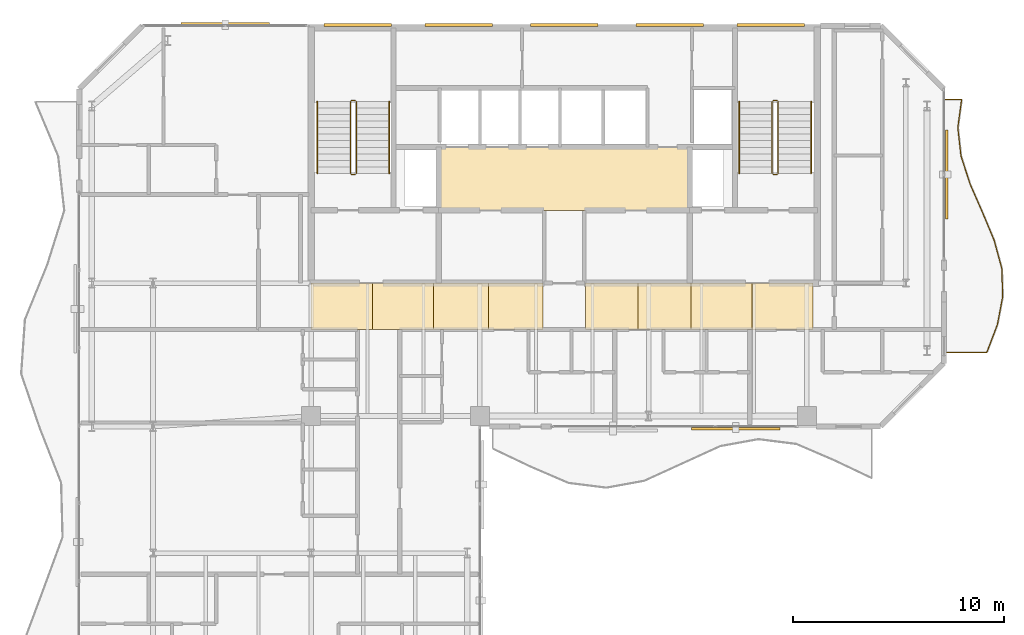
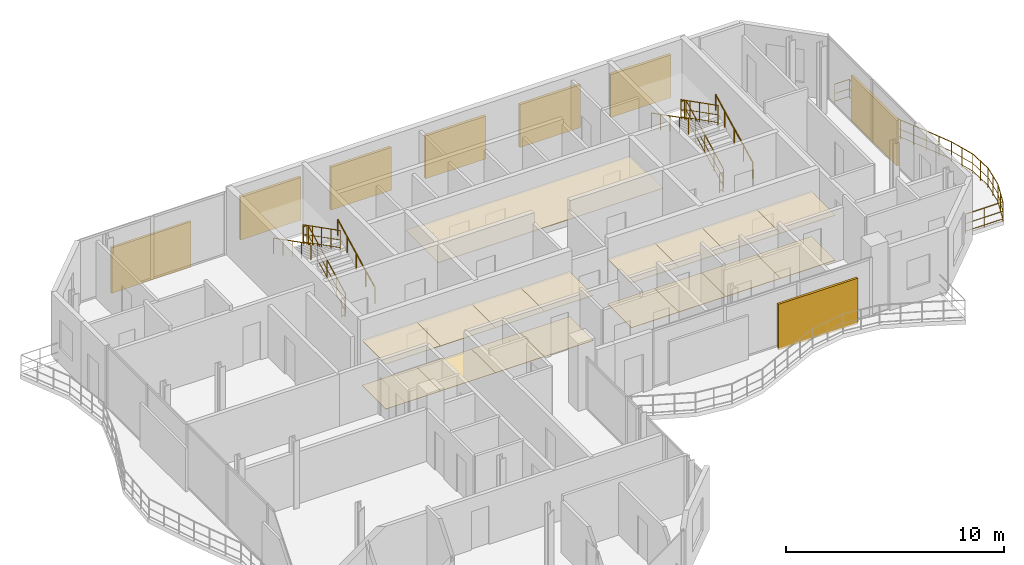
# One storey, part 22 of 22: 17 coverings, 13 railings, 8 shading devices.
"""IFC4 building model written with IfcOpenShell, lengths in metres."""

from ifc_helpers import new_model, si_unit, direction, frame, origin, origin_2d, place, context, subcontext, project, spatial, polyline, rectangle, circle, outline, extrude, material, layer, layer_set, type_object, element, save


model = new_model("IFC4")

# Units and contexts
model_context = context("Model", 3, precision=1e-05, world=origin(), true_north=direction((0.0, 1.0)))
body_context = subcontext(model_context, "Body", "Model", "MODEL_VIEW")
ifc_project = project(units=[si_unit("LENGTHUNIT", "METRE"), si_unit("AREAUNIT", "SQUARE_METRE"), si_unit("VOLUMEUNIT", "CUBIC_METRE"), si_unit("PLANEANGLEUNIT", "RADIAN"), si_unit("MASSUNIT", "GRAM", prefix="KILO")], contexts=[model_context])

# Site, building, storey
site_placement = place(None, origin())
site = spatial("IfcSite", under=ifc_project, at=site_placement, CompositionType="ELEMENT")
building_placement = place(site_placement, origin())
building = spatial("IfcBuilding", under=site, at=building_placement, Name="Catumbela Crestline Tower", CompositionType="ELEMENT")
storey_placement = place(building_placement, frame((0.0, 0.0, 233.6)))
storey = spatial("IfcBuildingStorey", under=building, at=storey_placement, Name="L60", CompositionType="ELEMENT", Elevation=233.6)

# Coverings
ifc_material_1 = material(Name="Mineral-fibre acoustic ceiling")
ifc_layer_1 = layer(ifc_material_1, 0.03, Name="Mineral-fibre acoustic ceiling")
ifc_layer_set_1 = layer_set([ifc_layer_1], Name="Mineral-fibre acoustic ceiling")
covering_type_1 = type_object("IfcCoveringType", Name="CC-AC", PredefinedType="CEILING", material=ifc_layer_set_1)
covering_1_placement = place(storey_placement, frame((0.0, 0.0, 2.65)))
element("IfcCovering", 1, at=covering_1_placement, inside=storey, type_object=covering_type_1, Name="L60 Lift Lobby Acoustic Ceiling", PredefinedType="CEILING", context=body_context, shape_type="SweptSolid", body=[
    extrude(outline(polyline([(22.05, 34.25), (33.95, 34.25), (33.95, 37.25), (22.05, 37.25), (22.05, 34.25)])), origin(), (0.0, 0.0, 1.0), 0.03),
])
covering_2_placement = place(storey_placement, frame((0.0, 0.0, 2.52)))
element("IfcCovering", 2, at=covering_2_placement, inside=storey, type_object=covering_type_1, Name="L60 Corridor Acoustic Ceiling Bay 1", PredefinedType="CEILING", context=body_context, shape_type="SweptSolid", body=[
    extrude(outline(polyline([(16.0, 28.6), (18.9, 28.6), (18.9, 30.8), (16.0, 30.8), (16.0, 28.6)])), origin(), (0.0, 0.0, 1.0), 0.03),
])
covering_3_placement = place(storey_placement, frame((0.0, 0.0, 2.52)))
element("IfcCovering", 3, at=covering_3_placement, inside=storey, type_object=covering_type_1, Name="L60 Corridor Acoustic Ceiling Bay 2", PredefinedType="CEILING", context=body_context, shape_type="SweptSolid", body=[
    extrude(outline(polyline([(18.9, 28.6), (21.8, 28.6), (21.8, 30.8), (18.9, 30.8), (18.9, 28.6)])), origin(), (0.0, 0.0, 1.0), 0.03),
])
covering_4_placement = place(storey_placement, frame((0.0, 0.0, 2.52)))
element("IfcCovering", 4, at=covering_4_placement, inside=storey, type_object=covering_type_1, Name="L60 Corridor Acoustic Ceiling Bay 3", PredefinedType="CEILING", context=body_context, shape_type="SweptSolid", body=[
    extrude(outline(polyline([(21.8, 28.6), (24.4, 28.6), (24.4, 30.8), (21.8, 30.8), (21.8, 28.6)])), origin(), (0.0, 0.0, 1.0), 0.03),
])
covering_5_placement = place(storey_placement, frame((0.0, 0.0, 2.52)))
element("IfcCovering", 5, at=covering_5_placement, inside=storey, type_object=covering_type_1, Name="L60 Corridor Acoustic Ceiling Bay 4", PredefinedType="CEILING", context=body_context, shape_type="SweptSolid", body=[
    extrude(outline(polyline([(24.4, 28.6), (27.0, 28.6), (27.0, 30.8), (24.4, 30.8), (24.4, 28.6)])), origin(), (0.0, 0.0, 1.0), 0.03),
])
covering_6_placement = place(storey_placement, frame((0.0, 0.0, 2.52)))
element("IfcCovering", 6, at=covering_6_placement, inside=storey, type_object=covering_type_1, Name="L60 Corridor Acoustic Ceiling Bay 5", PredefinedType="CEILING", context=body_context, shape_type="SweptSolid", body=[
    extrude(outline(polyline([(29.0, 28.6), (31.5, 28.6), (31.5, 30.8), (29.0, 30.8), (29.0, 28.6)])), origin(), (0.0, 0.0, 1.0), 0.03),
])
covering_7_placement = place(storey_placement, frame((0.0, 0.0, 2.52)))
element("IfcCovering", 7, at=covering_7_placement, inside=storey, type_object=covering_type_1, Name="L60 Corridor Acoustic Ceiling Bay 6", PredefinedType="CEILING", context=body_context, shape_type="SweptSolid", body=[
    extrude(outline(polyline([(31.5, 28.6), (34.0, 28.6), (34.0, 30.8), (31.5, 30.8), (31.5, 28.6)])), origin(), (0.0, 0.0, 1.0), 0.03),
])
covering_8_placement = place(storey_placement, frame((0.0, 0.0, 2.52)))
element("IfcCovering", 8, at=covering_8_placement, inside=storey, type_object=covering_type_1, Name="L60 Corridor Acoustic Ceiling Bay 7", PredefinedType="CEILING", context=body_context, shape_type="SweptSolid", body=[
    extrude(outline(polyline([(34.0, 28.6), (36.9, 28.6), (36.9, 30.8), (34.0, 30.8), (34.0, 28.6)])), origin(), (0.0, 0.0, 1.0), 0.03),
])
covering_9_placement = place(storey_placement, frame((0.0, 0.0, 2.52)))
element("IfcCovering", 9, at=covering_9_placement, inside=storey, type_object=covering_type_1, Name="L60 Corridor Acoustic Ceiling Bay 8", PredefinedType="CEILING", context=body_context, shape_type="SweptSolid", body=[
    extrude(outline(polyline([(36.9, 28.6), (39.8, 28.6), (39.8, 30.8), (36.9, 30.8), (36.9, 28.6)])), origin(), (0.0, 0.0, 1.0), 0.03),
])
ifc_material_2 = material(Name="Angolan grey-ochre granite", Category="masonry")
ifc_layer_2 = layer(ifc_material_2, 0.025, Name="Angolan grey-ochre granite")
ifc_layer_set_2 = layer_set([ifc_layer_2], Name="Angolan grey-ochre granite")
covering_type_2 = type_object("IfcCoveringType", Name="CF-GR", PredefinedType="FLOORING", material=ifc_layer_set_2)
covering_10_placement = place(storey_placement, origin())
element("IfcCovering", 10, at=covering_10_placement, inside=storey, type_object=covering_type_2, Name="L60 Corridor Granite Flooring Bay 1", PredefinedType="FLOORING", context=body_context, shape_type="SweptSolid", body=[
    extrude(outline(polyline([(16.0, 28.6), (18.9, 28.6), (18.9, 30.8), (16.0, 30.8), (16.0, 28.6)])), origin(), (0.0, 0.0, 1.0), 0.025),
])
covering_11_placement = place(storey_placement, origin())
element("IfcCovering", 11, at=covering_11_placement, inside=storey, type_object=covering_type_2, Name="L60 Corridor Granite Flooring Bay 2", PredefinedType="FLOORING", context=body_context, shape_type="SweptSolid", body=[
    extrude(outline(polyline([(18.9, 28.6), (21.8, 28.6), (21.8, 30.8), (18.9, 30.8), (18.9, 28.6)])), origin(), (0.0, 0.0, 1.0), 0.025),
])
covering_12_placement = place(storey_placement, origin())
element("IfcCovering", 12, at=covering_12_placement, inside=storey, type_object=covering_type_2, Name="L60 Corridor Granite Flooring Bay 3", PredefinedType="FLOORING", context=body_context, shape_type="SweptSolid", body=[
    extrude(outline(polyline([(21.8, 28.6), (24.4, 28.6), (24.4, 30.8), (21.8, 30.8), (21.8, 28.6)])), origin(), (0.0, 0.0, 1.0), 0.025),
])
covering_13_placement = place(storey_placement, origin())
element("IfcCovering", 13, at=covering_13_placement, inside=storey, type_object=covering_type_2, Name="L60 Corridor Granite Flooring Bay 4", PredefinedType="FLOORING", context=body_context, shape_type="SweptSolid", body=[
    extrude(outline(polyline([(24.4, 28.6), (27.0, 28.6), (27.0, 30.8), (24.4, 30.8), (24.4, 28.6)])), origin(), (0.0, 0.0, 1.0), 0.025),
])
covering_14_placement = place(storey_placement, origin())
element("IfcCovering", 14, at=covering_14_placement, inside=storey, type_object=covering_type_2, Name="L60 Corridor Granite Flooring Bay 5", PredefinedType="FLOORING", context=body_context, shape_type="SweptSolid", body=[
    extrude(outline(polyline([(29.0, 28.6), (31.5, 28.6), (31.5, 30.8), (29.0, 30.8), (29.0, 28.6)])), origin(), (0.0, 0.0, 1.0), 0.025),
])
covering_15_placement = place(storey_placement, origin())
element("IfcCovering", 15, at=covering_15_placement, inside=storey, type_object=covering_type_2, Name="L60 Corridor Granite Flooring Bay 6", PredefinedType="FLOORING", context=body_context, shape_type="SweptSolid", body=[
    extrude(outline(polyline([(31.5, 28.6), (34.0, 28.6), (34.0, 30.8), (31.5, 30.8), (31.5, 28.6)])), origin(), (0.0, 0.0, 1.0), 0.025),
])
covering_16_placement = place(storey_placement, origin())
element("IfcCovering", 16, at=covering_16_placement, inside=storey, type_object=covering_type_2, Name="L60 Corridor Granite Flooring Bay 7", PredefinedType="FLOORING", context=body_context, shape_type="SweptSolid", body=[
    extrude(outline(polyline([(34.0, 28.6), (36.9, 28.6), (36.9, 30.8), (34.0, 30.8), (34.0, 28.6)])), origin(), (0.0, 0.0, 1.0), 0.025),
])
covering_17_placement = place(storey_placement, origin())
element("IfcCovering", 17, at=covering_17_placement, inside=storey, type_object=covering_type_2, Name="L60 Corridor Granite Flooring Bay 8", PredefinedType="FLOORING", context=body_context, shape_type="SweptSolid", body=[
    extrude(outline(polyline([(36.9, 28.6), (39.8, 28.6), (39.8, 30.8), (36.9, 30.8), (36.9, 28.6)])), origin(), (0.0, 0.0, 1.0), 0.025),
])

# Railings
ifc_material_3 = material(Name="Stainless steel EN 1.4401", Category="steel")
railing_type_1 = type_object("IfcRailingType", Name="RB-1100", PredefinedType="BALUSTRADE", material=ifc_material_3)
railing_1_placement = place(storey_placement, frame((46.06, 27.5, 0.0)))
element("IfcRailing", 18, at=railing_1_placement, inside=storey, type_object=railing_type_1, Name="L60 Private Wave Balcony Balustrade 2", PredefinedType="BALUSTRADE", context=body_context, shape_type="SweptSolid", body=[
    extrude(circle(Radius=0.024, at=origin_2d()), frame((0.0, 0.0, 1.076), z_axis=(1.0, 0.0, 0.0), x_axis=(0.0, 1.0, 0.0)), (0.0, 0.0, 1.0), 1.9698),
    extrude(circle(Radius=0.0156, at=origin_2d()), frame((0.0, 0.0, 0.55), z_axis=(1.0, 0.0, 0.0), x_axis=(0.0, 1.0, 0.0)), (0.0, 0.0, 1.0), 1.9698),
    extrude(circle(Radius=0.0156, at=origin_2d()), frame((0.0, 0.0, 0.12), z_axis=(1.0, 0.0, 0.0), x_axis=(0.0, 1.0, 0.0)), (0.0, 0.0, 1.0), 1.9698),
    extrude(circle(Radius=0.024, at=origin_2d()), frame((1.9698, 0.0, 1.076), z_axis=(0.355613430539, 0.934633130175, 0.0), x_axis=(-0.934633130175, 0.355613430539, 0.0)), (0.0, 0.0, 1.0), 1.4265),
    extrude(circle(Radius=0.0156, at=origin_2d()), frame((1.9698, 0.0, 0.55), z_axis=(0.355613430539, 0.934633130175, 0.0), x_axis=(-0.934633130175, 0.355613430539, 0.0)), (0.0, 0.0, 1.0), 1.4265),
    extrude(circle(Radius=0.0156, at=origin_2d()), frame((1.9698, 0.0, 0.12), z_axis=(0.355613430539, 0.934633130175, 0.0), x_axis=(-0.934633130175, 0.355613430539, 0.0)), (0.0, 0.0, 1.0), 1.4265),
    extrude(circle(Radius=0.024, at=origin_2d()), frame((2.4771, 1.3333, 1.076), z_axis=(0.186343461413, 0.982484663691, 0.0), x_axis=(-0.982484663691, 0.186343461413, 0.0)), (0.0, 0.0, 1.0), 1.3572),
    extrude(circle(Radius=0.0156, at=origin_2d()), frame((2.4771, 1.3333, 0.55), z_axis=(0.186343461413, 0.982484663691, 0.0), x_axis=(-0.982484663691, 0.186343461413, 0.0)), (0.0, 0.0, 1.0), 1.3572),
    extrude(circle(Radius=0.0156, at=origin_2d()), frame((2.4771, 1.3333, 0.12), z_axis=(0.186343461413, 0.982484663691, 0.0), x_axis=(-0.982484663691, 0.186343461413, 0.0)), (0.0, 0.0, 1.0), 1.3572),
    extrude(circle(Radius=0.024, at=origin_2d()), frame((2.73, 2.6667, 1.076), z_axis=(-0.034180870208, 0.999415663331, 0.0), x_axis=(-0.999415663331, -0.034180870208, 0.0)), (0.0, 0.0, 1.0), 1.3341),
    extrude(circle(Radius=0.0156, at=origin_2d()), frame((2.73, 2.6667, 0.55), z_axis=(-0.034180870208, 0.999415663331, 0.0), x_axis=(-0.999415663331, -0.034180870208, 0.0)), (0.0, 0.0, 1.0), 1.3341),
    extrude(circle(Radius=0.0156, at=origin_2d()), frame((2.73, 2.6667, 0.12), z_axis=(-0.034180870208, 0.999415663331, 0.0), x_axis=(-0.999415663331, -0.034180870208, 0.0)), (0.0, 0.0, 1.0), 1.3341),
    extrude(circle(Radius=0.024, at=origin_2d()), frame((2.6844, 4.0, 1.076), z_axis=(-0.262694864344, 0.964878960413, 0.0), x_axis=(-0.964878960413, -0.262694864344, 0.0)), (0.0, 0.0, 1.0), 1.3818),
    extrude(circle(Radius=0.0156, at=origin_2d()), frame((2.6844, 4.0, 0.55), z_axis=(-0.262694864344, 0.964878960413, 0.0), x_axis=(-0.964878960413, -0.262694864344, 0.0)), (0.0, 0.0, 1.0), 1.3818),
    extrude(circle(Radius=0.0156, at=origin_2d()), frame((2.6844, 4.0, 0.12), z_axis=(-0.262694864344, 0.964878960413, 0.0), x_axis=(-0.964878960413, -0.262694864344, 0.0)), (0.0, 0.0, 1.0), 1.3818),
    extrude(circle(Radius=0.024, at=origin_2d()), frame((2.3214, 5.3333, 1.076), z_axis=(-0.385980642266, 0.922506880081, 0.0), x_axis=(-0.922506880081, -0.385980642266, 0.0)), (0.0, 0.0, 1.0), 1.4454),
    extrude(circle(Radius=0.0156, at=origin_2d()), frame((2.3214, 5.3333, 0.55), z_axis=(-0.385980642266, 0.922506880081, 0.0), x_axis=(-0.922506880081, -0.385980642266, 0.0)), (0.0, 0.0, 1.0), 1.4454),
    extrude(circle(Radius=0.0156, at=origin_2d()), frame((2.3214, 5.3333, 0.12), z_axis=(-0.385980642266, 0.922506880081, 0.0), x_axis=(-0.922506880081, -0.385980642266, 0.0)), (0.0, 0.0, 1.0), 1.4454),
    extrude(circle(Radius=0.024, at=origin_2d()), frame((1.7635, 6.6667, 1.076), z_axis=(-0.400808020005, 0.916162065957, 0.0), x_axis=(-0.916162065957, -0.400808020005, 0.0)), (0.0, 0.0, 1.0), 1.4553),
    extrude(circle(Radius=0.0156, at=origin_2d()), frame((1.7635, 6.6667, 0.55), z_axis=(-0.400808020005, 0.916162065957, 0.0), x_axis=(-0.916162065957, -0.400808020005, 0.0)), (0.0, 0.0, 1.0), 1.4553),
    extrude(circle(Radius=0.0156, at=origin_2d()), frame((1.7635, 6.6667, 0.12), z_axis=(-0.400808020005, 0.916162065957, 0.0), x_axis=(-0.916162065957, -0.400808020005, 0.0)), (0.0, 0.0, 1.0), 1.4553),
    extrude(circle(Radius=0.024, at=origin_2d()), frame((1.1802, 8.0, 1.076), z_axis=(-0.307844984535, 0.951436527308, 0.0), x_axis=(-0.951436527308, -0.307844984535, 0.0)), (0.0, 0.0, 1.0), 1.4014),
    extrude(circle(Radius=0.0156, at=origin_2d()), frame((1.1802, 8.0, 0.55), z_axis=(-0.307844984535, 0.951436527308, 0.0), x_axis=(-0.951436527308, -0.307844984535, 0.0)), (0.0, 0.0, 1.0), 1.4014),
    extrude(circle(Radius=0.0156, at=origin_2d()), frame((1.1802, 8.0, 0.12), z_axis=(-0.307844984535, 0.951436527308, 0.0), x_axis=(-0.951436527308, -0.307844984535, 0.0)), (0.0, 0.0, 1.0), 1.4014),
    extrude(circle(Radius=0.024, at=origin_2d()), frame((0.7488, 9.3333, 1.076), z_axis=(-0.110611501561, 0.993863720901, 0.0), x_axis=(-0.993863720901, -0.110611501561, 0.0)), (0.0, 0.0, 1.0), 1.3416),
    extrude(circle(Radius=0.0156, at=origin_2d()), frame((0.7488, 9.3333, 0.55), z_axis=(-0.110611501561, 0.993863720901, 0.0), x_axis=(-0.993863720901, -0.110611501561, 0.0)), (0.0, 0.0, 1.0), 1.3416),
    extrude(circle(Radius=0.0156, at=origin_2d()), frame((0.7488, 9.3333, 0.12), z_axis=(-0.110611501561, 0.993863720901, 0.0), x_axis=(-0.993863720901, -0.110611501561, 0.0)), (0.0, 0.0, 1.0), 1.3416),
    extrude(circle(Radius=0.024, at=origin_2d()), frame((0.6004, 10.6667, 1.076), z_axis=(0.133570659882, 0.991039292268, 0.0), x_axis=(-0.991039292268, 0.133570659882, 0.0)), (0.0, 0.0, 1.0), 1.3454),
    extrude(circle(Radius=0.0156, at=origin_2d()), frame((0.6004, 10.6667, 0.55), z_axis=(0.133570659882, 0.991039292268, 0.0), x_axis=(-0.991039292268, 0.133570659882, 0.0)), (0.0, 0.0, 1.0), 1.3454),
    extrude(circle(Radius=0.0156, at=origin_2d()), frame((0.6004, 10.6667, 0.12), z_axis=(0.133570659882, 0.991039292268, 0.0), x_axis=(-0.991039292268, 0.133570659882, 0.0)), (0.0, 0.0, 1.0), 1.3454),
    extrude(circle(Radius=0.024, at=origin_2d()), frame((0.7801, 12.0, 1.076), z_axis=(-1.0, 0.0, 0.0), x_axis=(0.0, -1.0, 0.0)), (0.0, 0.0, 1.0), 0.7801),
    extrude(circle(Radius=0.0156, at=origin_2d()), frame((0.7801, 12.0, 0.55), z_axis=(-1.0, 0.0, 0.0), x_axis=(0.0, -1.0, 0.0)), (0.0, 0.0, 1.0), 0.7801),
    extrude(circle(Radius=0.0156, at=origin_2d()), frame((0.7801, 12.0, 0.12), z_axis=(-1.0, 0.0, 0.0), x_axis=(0.0, -1.0, 0.0)), (0.0, 0.0, 1.0), 0.7801),
    extrude(circle(Radius=0.021, at=origin_2d()), origin(), (0.0, 0.0, 1.0), 1.052),
    extrude(circle(Radius=0.021, at=origin_2d()), frame((0.9849, 0.0, 0.0)), (0.0, 0.0, 1.0), 1.052),
    extrude(circle(Radius=0.021, at=origin_2d()), frame((1.9698, 0.0, 0.0)), (0.0, 0.0, 1.0), 1.052),
    extrude(circle(Radius=0.021, at=origin_2d()), frame((2.2234, 0.6667, 0.0)), (0.0, 0.0, 1.0), 1.052),
    extrude(circle(Radius=0.021, at=origin_2d()), frame((2.4771, 1.3333, 0.0)), (0.0, 0.0, 1.0), 1.052),
    extrude(circle(Radius=0.021, at=origin_2d()), frame((2.6035, 2.0, 0.0)), (0.0, 0.0, 1.0), 1.052),
    extrude(circle(Radius=0.021, at=origin_2d()), frame((2.73, 2.6667, 0.0)), (0.0, 0.0, 1.0), 1.052),
    extrude(circle(Radius=0.021, at=origin_2d()), frame((2.7072, 3.3333, 0.0)), (0.0, 0.0, 1.0), 1.052),
    extrude(circle(Radius=0.021, at=origin_2d()), frame((2.6844, 4.0, 0.0)), (0.0, 0.0, 1.0), 1.052),
    extrude(circle(Radius=0.021, at=origin_2d()), frame((2.5029, 4.6667, 0.0)), (0.0, 0.0, 1.0), 1.052),
    extrude(circle(Radius=0.021, at=origin_2d()), frame((2.3214, 5.3333, 0.0)), (0.0, 0.0, 1.0), 1.052),
    extrude(circle(Radius=0.021, at=origin_2d()), frame((2.0424, 6.0, 0.0)), (0.0, 0.0, 1.0), 1.052),
    extrude(circle(Radius=0.021, at=origin_2d()), frame((1.7635, 6.6667, 0.0)), (0.0, 0.0, 1.0), 1.052),
    extrude(circle(Radius=0.021, at=origin_2d()), frame((1.4718, 7.3334, 0.0)), (0.0, 0.0, 1.0), 1.052),
    extrude(circle(Radius=0.021, at=origin_2d()), frame((1.1802, 8.0, 0.0)), (0.0, 0.0, 1.0), 1.052),
    extrude(circle(Radius=0.021, at=origin_2d()), frame((0.9645, 8.6666, 0.0)), (0.0, 0.0, 1.0), 1.052),
    extrude(circle(Radius=0.021, at=origin_2d()), frame((0.7488, 9.3333, 0.0)), (0.0, 0.0, 1.0), 1.052),
    extrude(circle(Radius=0.021, at=origin_2d()), frame((0.6746, 10.0, 0.0)), (0.0, 0.0, 1.0), 1.052),
    extrude(circle(Radius=0.021, at=origin_2d()), frame((0.6004, 10.6667, 0.0)), (0.0, 0.0, 1.0), 1.052),
    extrude(circle(Radius=0.021, at=origin_2d()), frame((0.6902, 11.3334, 0.0)), (0.0, 0.0, 1.0), 1.052),
    extrude(circle(Radius=0.021, at=origin_2d()), frame((0.7801, 12.0, 0.0)), (0.0, 0.0, 1.0), 1.052),
    extrude(circle(Radius=0.021, at=origin_2d()), frame((0.0, 12.0, 0.0)), (0.0, 0.0, 1.0), 1.052),
])
railing_type_2 = type_object("IfcRailingType", Name="RG-1100", PredefinedType="GUARDRAIL", material=ifc_material_3)
railing_2_placement = place(storey_placement, frame((18.14, 36.0, 0.1583)))
element("IfcRailing", 19, at=railing_2_placement, inside=storey, type_object=railing_type_2, Name="L60 ST-01 stair guard 1", PredefinedType="GUARDRAIL", context=body_context, shape_type="SweptSolid", body=[
    extrude(circle(Radius=0.024, at=origin_2d()), frame((0.0, 0.0, 1.076), z_axis=(0.0, 0.890560473983, 0.454864861447), x_axis=(-1.0, 0.0, 0.0)), (0.0, 0.0, 1.0), 3.829),
    extrude(circle(Radius=0.0156, at=origin_2d()), frame((0.0, 0.0, 0.55), z_axis=(0.0, 0.890560473983, 0.454864861447), x_axis=(-1.0, 0.0, 0.0)), (0.0, 0.0, 1.0), 3.829),
    extrude(circle(Radius=0.0156, at=origin_2d()), frame((0.0, 0.0, 0.12), z_axis=(0.0, 0.890560473983, 0.454864861447), x_axis=(-1.0, 0.0, 0.0)), (0.0, 0.0, 1.0), 3.829),
    extrude(circle(Radius=0.021, at=origin_2d()), origin(), (0.0, 0.0, 1.0), 1.052),
    extrude(circle(Radius=0.021, at=origin_2d()), frame((0.0, 0.8525, 0.4354)), (0.0, 0.0, 1.0), 1.052),
    extrude(circle(Radius=0.021, at=origin_2d()), frame((0.0, 1.705, 0.8709)), (0.0, 0.0, 1.0), 1.052),
    extrude(circle(Radius=0.021, at=origin_2d()), frame((0.0, 2.5575, 1.3063)), (0.0, 0.0, 1.0), 1.052),
    extrude(circle(Radius=0.021, at=origin_2d()), frame((0.0, 3.41, 1.7417)), (0.0, 0.0, 1.0), 1.052),
])
railing_3_placement = place(storey_placement, frame((18.09, 39.46, 1.9)))
element("IfcRailing", 20, at=railing_3_placement, inside=storey, type_object=railing_type_2, Name="L60 ST-01 stair guard 2", PredefinedType="GUARDRAIL", context=body_context, shape_type="SweptSolid", body=[
    extrude(circle(Radius=0.024, at=origin_2d()), frame((0.0, 0.0, 1.076), z_axis=(-1.0, 0.0, 0.0), x_axis=(0.0, -1.0, 0.0)), (0.0, 0.0, 1.0), 0.18),
    extrude(circle(Radius=0.0156, at=origin_2d()), frame((0.0, 0.0, 0.55), z_axis=(-1.0, 0.0, 0.0), x_axis=(0.0, -1.0, 0.0)), (0.0, 0.0, 1.0), 0.18),
    extrude(circle(Radius=0.0156, at=origin_2d()), frame((0.0, 0.0, 0.12), z_axis=(-1.0, 0.0, 0.0), x_axis=(0.0, -1.0, 0.0)), (0.0, 0.0, 1.0), 0.18),
    extrude(circle(Radius=0.021, at=origin_2d()), origin(), (0.0, 0.0, 1.0), 1.052),
    extrude(circle(Radius=0.021, at=origin_2d()), frame((-0.18, 0.0, 0.0)), (0.0, 0.0, 1.0), 1.052),
])
railing_4_placement = place(storey_placement, frame((17.86, 39.41, 2.0583)))
element("IfcRailing", 21, at=railing_4_placement, inside=storey, type_object=railing_type_2, Name="L60 ST-01 stair guard 3", PredefinedType="GUARDRAIL", context=body_context, shape_type="SweptSolid", body=[
    extrude(circle(Radius=0.024, at=origin_2d()), frame((0.0, 0.0, 1.076), z_axis=(0.0, -0.890560473983, 0.454864861447), x_axis=(1.0, 0.0, 0.0)), (0.0, 0.0, 1.0), 3.829),
    extrude(circle(Radius=0.0156, at=origin_2d()), frame((0.0, 0.0, 0.55), z_axis=(0.0, -0.890560473983, 0.454864861447), x_axis=(1.0, 0.0, 0.0)), (0.0, 0.0, 1.0), 3.829),
    extrude(circle(Radius=0.0156, at=origin_2d()), frame((0.0, 0.0, 0.12), z_axis=(0.0, -0.890560473983, 0.454864861447), x_axis=(1.0, 0.0, 0.0)), (0.0, 0.0, 1.0), 3.829),
    extrude(circle(Radius=0.021, at=origin_2d()), origin(), (0.0, 0.0, 1.0), 1.052),
    extrude(circle(Radius=0.021, at=origin_2d()), frame((0.0, -0.8525, 0.4354)), (0.0, 0.0, 1.0), 1.052),
    extrude(circle(Radius=0.021, at=origin_2d()), frame((0.0, -1.705, 0.8709)), (0.0, 0.0, 1.0), 1.052),
    extrude(circle(Radius=0.021, at=origin_2d()), frame((0.0, -2.5575, 1.3063)), (0.0, 0.0, 1.0), 1.052),
    extrude(circle(Radius=0.021, at=origin_2d()), frame((0.0, -3.41, 1.7417)), (0.0, 0.0, 1.0), 1.052),
])
railing_5_placement = place(storey_placement, frame((18.09, 35.95, 0.0)))
element("IfcRailing", 22, at=railing_5_placement, inside=storey, type_object=railing_type_2, Name="L60 ST-01 stair guard 4", PredefinedType="GUARDRAIL", context=body_context, shape_type="SweptSolid", body=[
    extrude(circle(Radius=0.024, at=origin_2d()), frame((0.0, 0.0, 1.076), z_axis=(-1.0, 0.0, 0.0), x_axis=(0.0, -1.0, 0.0)), (0.0, 0.0, 1.0), 0.18),
    extrude(circle(Radius=0.0156, at=origin_2d()), frame((0.0, 0.0, 0.55), z_axis=(-1.0, 0.0, 0.0), x_axis=(0.0, -1.0, 0.0)), (0.0, 0.0, 1.0), 0.18),
    extrude(circle(Radius=0.0156, at=origin_2d()), frame((0.0, 0.0, 0.12), z_axis=(-1.0, 0.0, 0.0), x_axis=(0.0, -1.0, 0.0)), (0.0, 0.0, 1.0), 0.18),
    extrude(circle(Radius=0.021, at=origin_2d()), origin(), (0.0, 0.0, 1.0), 1.052),
    extrude(circle(Radius=0.021, at=origin_2d()), frame((-0.18, 0.0, 0.0)), (0.0, 0.0, 1.0), 1.052),
])
railing_6_placement = place(storey_placement, frame((38.14, 36.0, 0.1583)))
element("IfcRailing", 23, at=railing_6_placement, inside=storey, type_object=railing_type_2, Name="L60 ST-02 stair guard 1", PredefinedType="GUARDRAIL", context=body_context, shape_type="SweptSolid", body=[
    extrude(circle(Radius=0.024, at=origin_2d()), frame((0.0, 0.0, 1.076), z_axis=(0.0, 0.890560473983, 0.454864861447), x_axis=(-1.0, 0.0, 0.0)), (0.0, 0.0, 1.0), 3.829),
    extrude(circle(Radius=0.0156, at=origin_2d()), frame((0.0, 0.0, 0.55), z_axis=(0.0, 0.890560473983, 0.454864861447), x_axis=(-1.0, 0.0, 0.0)), (0.0, 0.0, 1.0), 3.829),
    extrude(circle(Radius=0.0156, at=origin_2d()), frame((0.0, 0.0, 0.12), z_axis=(0.0, 0.890560473983, 0.454864861447), x_axis=(-1.0, 0.0, 0.0)), (0.0, 0.0, 1.0), 3.829),
    extrude(circle(Radius=0.021, at=origin_2d()), origin(), (0.0, 0.0, 1.0), 1.052),
    extrude(circle(Radius=0.021, at=origin_2d()), frame((0.0, 0.8525, 0.4354)), (0.0, 0.0, 1.0), 1.052),
    extrude(circle(Radius=0.021, at=origin_2d()), frame((0.0, 1.705, 0.8709)), (0.0, 0.0, 1.0), 1.052),
    extrude(circle(Radius=0.021, at=origin_2d()), frame((0.0, 2.5575, 1.3063)), (0.0, 0.0, 1.0), 1.052),
    extrude(circle(Radius=0.021, at=origin_2d()), frame((0.0, 3.41, 1.7417)), (0.0, 0.0, 1.0), 1.052),
])
railing_7_placement = place(storey_placement, frame((38.09, 39.46, 1.9)))
element("IfcRailing", 24, at=railing_7_placement, inside=storey, type_object=railing_type_2, Name="L60 ST-02 stair guard 2", PredefinedType="GUARDRAIL", context=body_context, shape_type="SweptSolid", body=[
    extrude(circle(Radius=0.024, at=origin_2d()), frame((0.0, 0.0, 1.076), z_axis=(-1.0, 0.0, 0.0), x_axis=(0.0, -1.0, 0.0)), (0.0, 0.0, 1.0), 0.18),
    extrude(circle(Radius=0.0156, at=origin_2d()), frame((0.0, 0.0, 0.55), z_axis=(-1.0, 0.0, 0.0), x_axis=(0.0, -1.0, 0.0)), (0.0, 0.0, 1.0), 0.18),
    extrude(circle(Radius=0.0156, at=origin_2d()), frame((0.0, 0.0, 0.12), z_axis=(-1.0, 0.0, 0.0), x_axis=(0.0, -1.0, 0.0)), (0.0, 0.0, 1.0), 0.18),
    extrude(circle(Radius=0.021, at=origin_2d()), origin(), (0.0, 0.0, 1.0), 1.052),
    extrude(circle(Radius=0.021, at=origin_2d()), frame((-0.18, 0.0, 0.0)), (0.0, 0.0, 1.0), 1.052),
])
railing_8_placement = place(storey_placement, frame((37.86, 39.41, 2.0583)))
element("IfcRailing", 25, at=railing_8_placement, inside=storey, type_object=railing_type_2, Name="L60 ST-02 stair guard 3", PredefinedType="GUARDRAIL", context=body_context, shape_type="SweptSolid", body=[
    extrude(circle(Radius=0.024, at=origin_2d()), frame((0.0, 0.0, 1.076), z_axis=(0.0, -0.890560473983, 0.454864861447), x_axis=(1.0, 0.0, 0.0)), (0.0, 0.0, 1.0), 3.829),
    extrude(circle(Radius=0.0156, at=origin_2d()), frame((0.0, 0.0, 0.55), z_axis=(0.0, -0.890560473983, 0.454864861447), x_axis=(1.0, 0.0, 0.0)), (0.0, 0.0, 1.0), 3.829),
    extrude(circle(Radius=0.0156, at=origin_2d()), frame((0.0, 0.0, 0.12), z_axis=(0.0, -0.890560473983, 0.454864861447), x_axis=(1.0, 0.0, 0.0)), (0.0, 0.0, 1.0), 3.829),
    extrude(circle(Radius=0.021, at=origin_2d()), origin(), (0.0, 0.0, 1.0), 1.052),
    extrude(circle(Radius=0.021, at=origin_2d()), frame((0.0, -0.8525, 0.4354)), (0.0, 0.0, 1.0), 1.052),
    extrude(circle(Radius=0.021, at=origin_2d()), frame((0.0, -1.705, 0.8709)), (0.0, 0.0, 1.0), 1.052),
    extrude(circle(Radius=0.021, at=origin_2d()), frame((0.0, -2.5575, 1.3063)), (0.0, 0.0, 1.0), 1.052),
    extrude(circle(Radius=0.021, at=origin_2d()), frame((0.0, -3.41, 1.7417)), (0.0, 0.0, 1.0), 1.052),
])
railing_9_placement = place(storey_placement, frame((38.09, 35.95, 0.0)))
element("IfcRailing", 26, at=railing_9_placement, inside=storey, type_object=railing_type_2, Name="L60 ST-02 stair guard 4", PredefinedType="GUARDRAIL", context=body_context, shape_type="SweptSolid", body=[
    extrude(circle(Radius=0.024, at=origin_2d()), frame((0.0, 0.0, 1.076), z_axis=(-1.0, 0.0, 0.0), x_axis=(0.0, -1.0, 0.0)), (0.0, 0.0, 1.0), 0.18),
    extrude(circle(Radius=0.0156, at=origin_2d()), frame((0.0, 0.0, 0.55), z_axis=(-1.0, 0.0, 0.0), x_axis=(0.0, -1.0, 0.0)), (0.0, 0.0, 1.0), 0.18),
    extrude(circle(Radius=0.0156, at=origin_2d()), frame((0.0, 0.0, 0.12), z_axis=(-1.0, 0.0, 0.0), x_axis=(0.0, -1.0, 0.0)), (0.0, 0.0, 1.0), 0.18),
    extrude(circle(Radius=0.021, at=origin_2d()), origin(), (0.0, 0.0, 1.0), 1.052),
    extrude(circle(Radius=0.021, at=origin_2d()), frame((-0.18, 0.0, 0.0)), (0.0, 0.0, 1.0), 1.052),
])
railing_type_3 = type_object("IfcRailingType", Name="RH-0900", PredefinedType="HANDRAIL", material=ifc_material_3)
railing_10_placement = place(storey_placement, frame((19.7, 36.0, 0.1583)))
element("IfcRailing", 27, at=railing_10_placement, inside=storey, type_object=railing_type_3, Name="L60 ST-01 stair handrail 1", PredefinedType="HANDRAIL", context=body_context, shape_type="SweptSolid", body=[
    extrude(circle(Radius=0.024, at=origin_2d()), frame((0.0, 0.0, 0.876), z_axis=(0.0, 0.890560473983, 0.454864861447), x_axis=(-1.0, 0.0, 0.0)), (0.0, 0.0, 1.0), 3.829),
    extrude(circle(Radius=0.021, at=origin_2d()), origin(), (0.0, 0.0, 1.0), 0.852),
    extrude(circle(Radius=0.021, at=origin_2d()), frame((0.0, 0.8525, 0.4354)), (0.0, 0.0, 1.0), 0.852),
    extrude(circle(Radius=0.021, at=origin_2d()), frame((0.0, 1.705, 0.8709)), (0.0, 0.0, 1.0), 0.852),
    extrude(circle(Radius=0.021, at=origin_2d()), frame((0.0, 2.5575, 1.3063)), (0.0, 0.0, 1.0), 0.852),
    extrude(circle(Radius=0.021, at=origin_2d()), frame((0.0, 3.41, 1.7417)), (0.0, 0.0, 1.0), 0.852),
])
railing_11_placement = place(storey_placement, frame((16.3, 39.41, 2.0583)))
element("IfcRailing", 28, at=railing_11_placement, inside=storey, type_object=railing_type_3, Name="L60 ST-01 stair handrail 2", PredefinedType="HANDRAIL", context=body_context, shape_type="SweptSolid", body=[
    extrude(circle(Radius=0.024, at=origin_2d()), frame((0.0, 0.0, 0.876), z_axis=(0.0, -0.890560473983, 0.454864861447), x_axis=(1.0, 0.0, 0.0)), (0.0, 0.0, 1.0), 3.829),
    extrude(circle(Radius=0.021, at=origin_2d()), origin(), (0.0, 0.0, 1.0), 0.852),
    extrude(circle(Radius=0.021, at=origin_2d()), frame((0.0, -0.8525, 0.4354)), (0.0, 0.0, 1.0), 0.852),
    extrude(circle(Radius=0.021, at=origin_2d()), frame((0.0, -1.705, 0.8709)), (0.0, 0.0, 1.0), 0.852),
    extrude(circle(Radius=0.021, at=origin_2d()), frame((0.0, -2.5575, 1.3063)), (0.0, 0.0, 1.0), 0.852),
    extrude(circle(Radius=0.021, at=origin_2d()), frame((0.0, -3.41, 1.7417)), (0.0, 0.0, 1.0), 0.852),
])
railing_12_placement = place(storey_placement, frame((39.7, 36.0, 0.1583)))
element("IfcRailing", 29, at=railing_12_placement, inside=storey, type_object=railing_type_3, Name="L60 ST-02 stair handrail 1", PredefinedType="HANDRAIL", context=body_context, shape_type="SweptSolid", body=[
    extrude(circle(Radius=0.024, at=origin_2d()), frame((0.0, 0.0, 0.876), z_axis=(0.0, 0.890560473983, 0.454864861447), x_axis=(-1.0, 0.0, 0.0)), (0.0, 0.0, 1.0), 3.829),
    extrude(circle(Radius=0.021, at=origin_2d()), origin(), (0.0, 0.0, 1.0), 0.852),
    extrude(circle(Radius=0.021, at=origin_2d()), frame((0.0, 0.8525, 0.4354)), (0.0, 0.0, 1.0), 0.852),
    extrude(circle(Radius=0.021, at=origin_2d()), frame((0.0, 1.705, 0.8709)), (0.0, 0.0, 1.0), 0.852),
    extrude(circle(Radius=0.021, at=origin_2d()), frame((0.0, 2.5575, 1.3063)), (0.0, 0.0, 1.0), 0.852),
    extrude(circle(Radius=0.021, at=origin_2d()), frame((0.0, 3.41, 1.7417)), (0.0, 0.0, 1.0), 0.852),
])
railing_13_placement = place(storey_placement, frame((36.3, 39.41, 2.0583)))
element("IfcRailing", 30, at=railing_13_placement, inside=storey, type_object=railing_type_3, Name="L60 ST-02 stair handrail 2", PredefinedType="HANDRAIL", context=body_context, shape_type="SweptSolid", body=[
    extrude(circle(Radius=0.024, at=origin_2d()), frame((0.0, 0.0, 0.876), z_axis=(0.0, -0.890560473983, 0.454864861447), x_axis=(1.0, 0.0, 0.0)), (0.0, 0.0, 1.0), 3.829),
    extrude(circle(Radius=0.021, at=origin_2d()), origin(), (0.0, 0.0, 1.0), 0.852),
    extrude(circle(Radius=0.021, at=origin_2d()), frame((0.0, -0.8525, 0.4354)), (0.0, 0.0, 1.0), 0.852),
    extrude(circle(Radius=0.021, at=origin_2d()), frame((0.0, -1.705, 0.8709)), (0.0, 0.0, 1.0), 0.852),
    extrude(circle(Radius=0.021, at=origin_2d()), frame((0.0, -2.5575, 1.3063)), (0.0, 0.0, 1.0), 0.852),
    extrude(circle(Radius=0.021, at=origin_2d()), frame((0.0, -3.41, 1.7417)), (0.0, 0.0, 1.0), 0.852),
])

# Shading devices
ifc_material_4 = material(Name="Extruded terracotta ceramic", Category="masonry")
shading_device_type_1 = type_object("IfcShadingDeviceType", Name="ST-180", PredefinedType="USERDEFINED", material=ifc_material_4)
shading_device_1_placement = place(storey_placement, frame((23.0, 43.04, 0.55), z_axis=(0.0, 0.0, 1.0), x_axis=(1.0, 0.0, 0.0)))
element("IfcShadingDevice", 31, at=shading_device_1_placement, inside=storey, type_object=shading_device_type_1, Name="L60 Rear Core Terracotta Brise-Soleil Screen 713", ObjectType="SCREEN", PredefinedType="USERDEFINED", context=body_context, shape_type="SweptSolid", body=[
    extrude(rectangle(XDim=3.2, YDim=0.14, at=origin_2d()), origin(), (0.0, 0.0, 1.0), 2.4),
])
for number, where, z_axis, x_axis, name in (
    (32, (36.1375, 23.901, -0.1), (0.0, 0.0, 1.0), (1.0, 0.0, 0.0), "L60 Perforated Terracotta Solar Screen 721 (180 mm)"),
    (33, (11.93, 43.099, -0.1), (0.0, 0.0, 1.0), (-1.0, 0.0, 0.0), "L60 Perforated Terracotta Solar Screen 723 (180 mm)"),
):
    element("IfcShadingDevice", number, at=place(storey_placement, frame(where, z_axis=z_axis, x_axis=x_axis)), inside=storey, type_object=shading_device_type_1, Name=name, ObjectType="SCREEN", PredefinedType="USERDEFINED", context=body_context, shape_type="SweptSolid", body=[
        extrude(rectangle(XDim=4.2, YDim=0.12, at=origin_2d()), origin(), (0.0, 0.0, 1.0), 2.55),
    ])
shading_device_type_2 = type_object("IfcShadingDeviceType", Name="ST-260", PredefinedType="USERDEFINED", material=ifc_material_4)
for number, where, z_axis, x_axis, name in (
    (34, (18.2, 43.04, 0.55), (0.0, 0.0, 1.0), (1.0, 0.0, 0.0), "L60 Rear Core Terracotta Brise-Soleil Screen 712"),
    (35, (33.0, 43.04, 0.55), (0.0, 0.0, 1.0), (1.0, 0.0, 0.0), "L60 Rear Core Terracotta Brise-Soleil Screen 715"),
):
    element("IfcShadingDevice", number, at=place(storey_placement, frame(where, z_axis=z_axis, x_axis=x_axis)), inside=storey, type_object=shading_device_type_2, Name=name, ObjectType="SCREEN", PredefinedType="USERDEFINED", context=body_context, shape_type="SweptSolid", body=[
        extrude(rectangle(XDim=3.2, YDim=0.14, at=origin_2d()), origin(), (0.0, 0.0, 1.0), 2.4),
    ])
shading_device_2_placement = place(storey_placement, frame((46.143, 35.95, -0.1), z_axis=(0.0, 0.0, 1.0), x_axis=(0.0, 1.0, 0.0)))
element("IfcShadingDevice", 36, at=shading_device_2_placement, inside=storey, type_object=shading_device_type_2, Name="L60 Perforated Terracotta Solar Screen 722 (260 mm)", ObjectType="SCREEN", PredefinedType="USERDEFINED", context=body_context, shape_type="SweptSolid", body=[
    extrude(rectangle(XDim=4.2, YDim=0.12, at=origin_2d()), origin(), (0.0, 0.0, 1.0), 2.55),
])
shading_device_type_3 = type_object("IfcShadingDeviceType", Name="ST-340", PredefinedType="USERDEFINED", material=ifc_material_4)
for number, where, z_axis, x_axis, name in (
    (37, (28.0, 43.04, 0.55), (0.0, 0.0, 1.0), (1.0, 0.0, 0.0), "L60 Rear Core Terracotta Brise-Soleil Screen 714"),
    (38, (37.8, 43.04, 0.55), (0.0, 0.0, 1.0), (1.0, 0.0, 0.0), "L60 Rear Core Terracotta Brise-Soleil Screen 716"),
):
    element("IfcShadingDevice", number, at=place(storey_placement, frame(where, z_axis=z_axis, x_axis=x_axis)), inside=storey, type_object=shading_device_type_3, Name=name, ObjectType="SCREEN", PredefinedType="USERDEFINED", context=body_context, shape_type="SweptSolid", body=[
        extrude(rectangle(XDim=3.2, YDim=0.14, at=origin_2d()), origin(), (0.0, 0.0, 1.0), 2.4),
    ])

save(model, "model.ifc")
